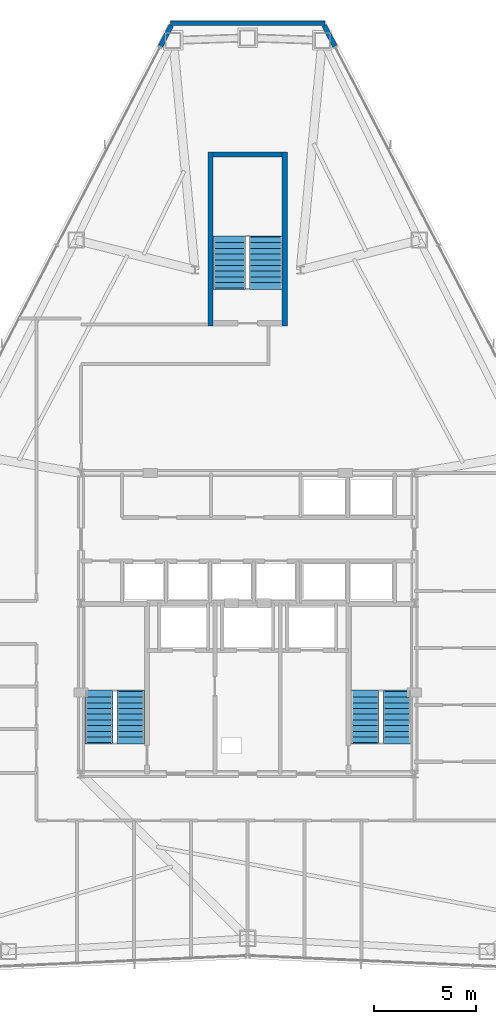
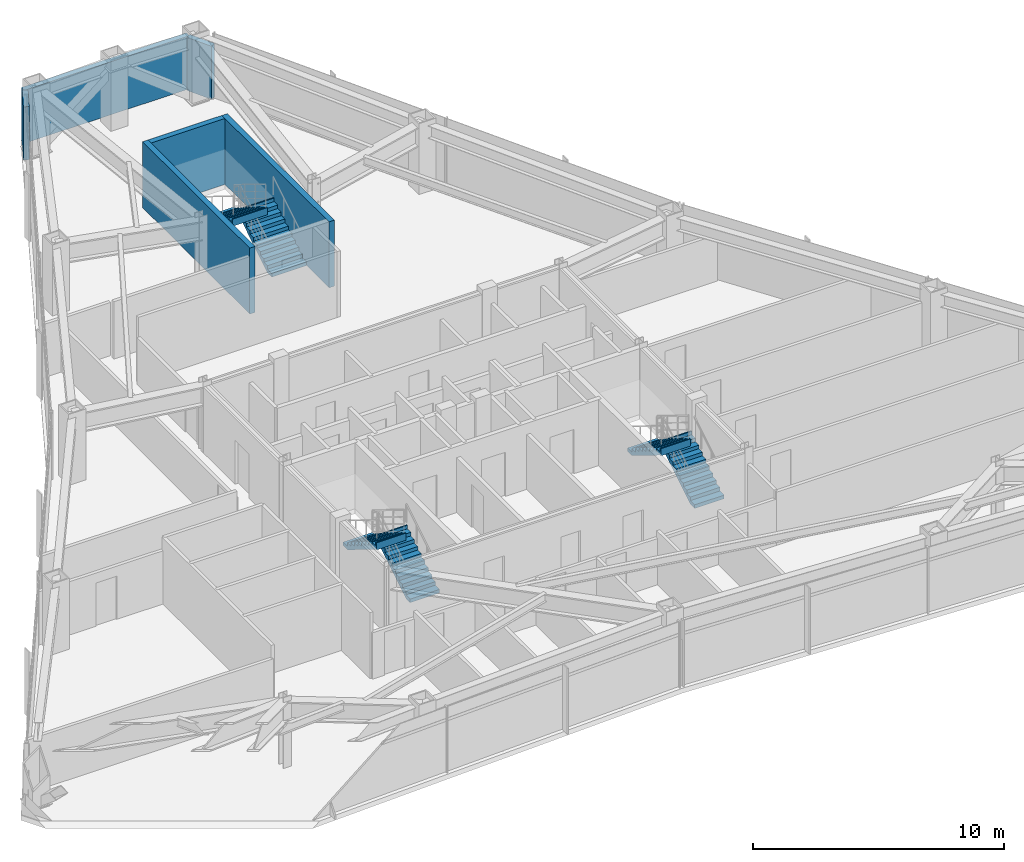
# One storey, part 12 of 13: 6 stair flights, 6 walls, 3 elements without a shape of their own.
"""IFC4 building model written with IfcOpenShell, lengths in metres."""

from ifc_helpers import new_model, si_unit, direction, frame, frame_2d, origin, place, context, subcontext, project, spatial, polyline, rectangle, outline, extrude, material, layer, layer_set, type_object, element, aggregate, save


model = new_model("IFC4")

# Units and contexts
model_context = context("Model", 3, precision=1e-05, world=origin(), true_north=direction((0.0, 1.0)))
body_context = subcontext(model_context, "Body", "Model", "MODEL_VIEW")
ifc_project = project(units=[si_unit("LENGTHUNIT", "METRE"), si_unit("AREAUNIT", "SQUARE_METRE"), si_unit("VOLUMEUNIT", "CUBIC_METRE"), si_unit("PLANEANGLEUNIT", "RADIAN"), si_unit("MASSUNIT", "GRAM", prefix="KILO")], contexts=[model_context])

# Site, building, storey
site_placement = place(None, origin())
site = spatial("IfcSite", under=ifc_project, at=site_placement, CompositionType="ELEMENT")
building_placement = place(site_placement, origin())
building = spatial("IfcBuilding", under=site, at=building_placement, Name="Varakhsha Concourse Tower", CompositionType="ELEMENT")
storey_placement = place(building_placement, frame((0.0, 0.0, 182.699951171875)))
storey = spatial("IfcBuildingStorey", under=building, at=storey_placement, Name="L52", CompositionType="ELEMENT", Elevation=182.699951171875)

# Walls
ifc_material = material(Name="Concrete fc 45 MPa", Category="concrete")
ifc_layer_1 = layer(ifc_material, 0.239990234375, Name="WL-EXT-CRN-240")
ifc_layer_set_1 = layer_set([ifc_layer_1], Name="Concrete fc 45 MPa")
wall_type_1 = type_object("IfcWallType", Name="WL-EXT-CRN-240", PredefinedType="SHEAR", material=ifc_layer_set_1)
wall_1_placement = place(storey_placement, frame((36.199951171875, 53.338134765625, 0.0), z_axis=(0.0, 0.0, 1.0), x_axis=(1.0, 0.0, 0.0)))
element("IfcWall", 1, at=wall_1_placement, inside=storey, type_object=wall_type_1, Name="L52 Chamfer Wind-Corner Insulated Wall F1", PredefinedType="SHEAR", context=body_context, shape_type="SweptSolid", body=[
    extrude(rectangle(XDim=7.60009765625, YDim=0.239990234375, at=frame_2d((3.800048828125, 0.0))), origin(), (0.0, 0.0, 1.0), 2.5830078125),
])
for number, where, z_axis, x_axis, name in (
    (2, (36.240478515625, 53.229248046875, 0.0), (0.0, 0.0, 1.0), (-0.461043287095, -0.887377646453, 0.0), "L52 Wind-Corner Shoulder Wall F2"),
    (3, (44.2978515625, 52.193115234375, 0.0), (0.0, 0.0, 1.0), (-0.461043287095, 0.887377646453, 0.0), "L52 Wind-Corner Shoulder Wall F9"),
):
    element("IfcWall", number, at=place(storey_placement, frame(where, z_axis=z_axis, x_axis=x_axis)), inside=storey, type_object=wall_type_1, Name=name, PredefinedType="SHEAR", context=body_context, shape_type="SweptSolid", body=[
        extrude(rectangle(XDim=1.167724609375, YDim=0.239990234375, at=frame_2d((0.583984375, 0.0))), origin(), (0.0, 0.0, 1.0), 2.5830078125),
    ])
ifc_layer_2 = layer(ifc_material, 0.25, Name="WL-STAIR-250")
ifc_layer_set_2 = layer_set([ifc_layer_2], Name="Concrete fc 45 MPa")
wall_type_2 = type_object("IfcWallType", Name="WL-STAIR-250", PredefinedType="SHEAR", material=ifc_layer_set_2)
for number, where, z_axis, x_axis, name in (
    (4, (38.175048828125, 38.449951171875, 0.0), (0.0, 0.0, 1.0), (0.0, 1.0, 0.0), "L52 Wall SWALL-ST5-W-L52"),
    (5, (41.824951171875, 38.449951171875, 0.0), (0.0, 0.0, 1.0), (0.0, 1.0, 0.0), "L52 Wall SWALL-ST5-E-L52"),
):
    element("IfcWall", number, at=place(storey_placement, frame(where, z_axis=z_axis, x_axis=x_axis)), inside=storey, type_object=wall_type_2, Name=name, PredefinedType="SHEAR", context=body_context, shape_type="SweptSolid", body=[
        extrude(rectangle(XDim=8.550048828125, YDim=0.25, at=frame_2d((4.27490234375, 0.0))), origin(), (0.0, 0.0, 1.0), 3.2099609375),
    ])
wall_2_placement = place(storey_placement, frame((38.300048828125, 46.875, 0.0), z_axis=(0.0, 0.0, 1.0), x_axis=(1.0, 0.0, 0.0)))
element("IfcWall", 6, at=wall_2_placement, inside=storey, type_object=wall_type_2, Name="L52 Wall SWALL-ST5-N-L52", PredefinedType="SHEAR", context=body_context, shape_type="SweptSolid", body=[
    extrude(rectangle(XDim=3.39990234375, YDim=0.25, at=frame_2d((1.699951171875, 0.0))), origin(), (0.0, 0.0, 1.0), 3.2099609375),
])

# Stair, stair flights
stair_type_1 = type_object("IfcStairType", Name="ST-DOGLEG-1360", PredefinedType="HALF_TURN_STAIR", material=ifc_material)
stair_1_placement = place(storey_placement, origin())
stair_1 = element("IfcStair", 7, at=stair_1_placement, inside=storey, type_object=stair_type_1, Name="L52 Protected Exit Stair ST1", PredefinedType="HALF_TURN_STAIR")
stair_flight_type_1 = type_object("IfcStairFlightType", Name="STF-1360-R1725", PredefinedType="STRAIGHT", material=ifc_material)
stair_flight_1_placement = place(storey_placement, frame((34.239990234375, 17.93994140625, 0.0), z_axis=(0.0, 0.0, 1.0), x_axis=(0.0, 1.0, 0.0)))
stair_flight_1 = element("IfcStairFlight", 8, at=stair_flight_1_placement, type_object=stair_flight_type_1, Name="ST1 flight 1", NumberOfRisers=10, NumberOfTreads=9, PredefinedType="STRAIGHT", RiserHeight=0.1725, TreadLength=0.28, context=body_context, shape_type="SweptSolid", body=[
    extrude(outline(polyline([(-0.06005859375, 0.0), (-0.06005859375, 0.172607421875), (0.0, 0.172607421875), (0.280029296875, 0.172607421875), (0.280029296875, 0.344970703125), (0.56005859375, 0.344970703125), (0.56005859375, 0.517578125), (0.840087890625, 0.517578125), (0.840087890625, 0.68994140625), (1.1201171875, 0.68994140625), (1.1201171875, 0.862548828125), (1.39990234375, 0.862548828125), (1.39990234375, 1.034912109375), (1.679931640625, 1.034912109375), (1.679931640625, 1.20751953125), (1.9599609375, 1.20751953125), (1.9599609375, 1.3798828125), (2.239990234375, 1.3798828125), (2.239990234375, 1.552490234375), (2.52001953125, 1.552490234375), (2.52001953125, 1.72509765625), (2.580078125, 1.72509765625), (2.580078125, 1.37646484375), (2.52001953125, 1.37646484375), (0.285888671875, 0.0), (-0.06005859375, 0.0)])), frame((0.0, 0.68017578125, 0.0), z_axis=(0.0, -1.0, 0.0), x_axis=(1.0, 0.0, 0.0)), (0.0, 0.0, 1.0), 1.360107421875),
])
stair_flight_2_placement = place(storey_placement, frame((32.679931640625, 20.4599609375, 1.72509765625), z_axis=(0.0, 0.0, 1.0), x_axis=(0.0, -1.0, 0.0)))
stair_flight_2 = element("IfcStairFlight", 9, at=stair_flight_2_placement, type_object=stair_flight_type_1, Name="ST1 flight 2", NumberOfRisers=10, NumberOfTreads=9, PredefinedType="STRAIGHT", RiserHeight=0.1725, TreadLength=0.28, context=body_context, shape_type="SweptSolid", body=[
    extrude(outline(polyline([(-0.06005859375, 0.0), (-0.06005859375, 0.172607421875), (0.0, 0.172607421875), (0.280029296875, 0.172607421875), (0.280029296875, 0.344970703125), (0.56005859375, 0.344970703125), (0.56005859375, 0.517578125), (0.840087890625, 0.517578125), (0.840087890625, 0.68994140625), (1.1201171875, 0.68994140625), (1.1201171875, 0.862548828125), (1.39990234375, 0.862548828125), (1.39990234375, 1.034912109375), (1.679931640625, 1.034912109375), (1.679931640625, 1.20751953125), (1.9599609375, 1.20751953125), (1.9599609375, 1.3798828125), (2.239990234375, 1.3798828125), (2.239990234375, 1.552490234375), (2.52001953125, 1.552490234375), (2.52001953125, 1.72509765625), (2.580078125, 1.72509765625), (2.580078125, 1.37646484375), (2.52001953125, 1.37646484375), (0.285888671875, 0.0), (-0.06005859375, 0.0)])), frame((0.0, 0.68017578125, 0.0), z_axis=(0.0, -1.0, 0.0), x_axis=(1.0, 0.0, 0.0)), (0.0, 0.0, 1.0), 1.360107421875),
])
aggregate(stair_1, [stair_flight_1, stair_flight_2])

stair_2_placement = place(storey_placement, origin())
stair_2 = element("IfcStair", 10, at=stair_2_placement, inside=storey, type_object=stair_type_1, Name="L52 Protected Exit Stair ST2", PredefinedType="HALF_TURN_STAIR")
stair_flight_3_placement = place(storey_placement, frame((47.340087890625, 17.93994140625, 0.0), z_axis=(0.0, 0.0, 1.0), x_axis=(0.0, 1.0, 0.0)))
stair_flight_3 = element("IfcStairFlight", 11, at=stair_flight_3_placement, type_object=stair_flight_type_1, Name="ST2 flight 1", NumberOfRisers=10, NumberOfTreads=9, PredefinedType="STRAIGHT", RiserHeight=0.1725, TreadLength=0.28, context=body_context, shape_type="SweptSolid", body=[
    extrude(outline(polyline([(-0.06005859375, 0.0), (-0.06005859375, 0.172607421875), (0.0, 0.172607421875), (0.280029296875, 0.172607421875), (0.280029296875, 0.344970703125), (0.56005859375, 0.344970703125), (0.56005859375, 0.517578125), (0.840087890625, 0.517578125), (0.840087890625, 0.68994140625), (1.1201171875, 0.68994140625), (1.1201171875, 0.862548828125), (1.39990234375, 0.862548828125), (1.39990234375, 1.034912109375), (1.679931640625, 1.034912109375), (1.679931640625, 1.20751953125), (1.9599609375, 1.20751953125), (1.9599609375, 1.3798828125), (2.239990234375, 1.3798828125), (2.239990234375, 1.552490234375), (2.52001953125, 1.552490234375), (2.52001953125, 1.72509765625), (2.580078125, 1.72509765625), (2.580078125, 1.37646484375), (2.52001953125, 1.37646484375), (0.285888671875, 0.0), (-0.06005859375, 0.0)])), frame((0.0, 0.68017578125, 0.0), z_axis=(0.0, -1.0, 0.0), x_axis=(1.0, 0.0, 0.0)), (0.0, 0.0, 1.0), 1.360107421875),
])
stair_flight_4_placement = place(storey_placement, frame((45.780029296875, 20.4599609375, 1.72509765625), z_axis=(0.0, 0.0, 1.0), x_axis=(0.0, -1.0, 0.0)))
stair_flight_4 = element("IfcStairFlight", 12, at=stair_flight_4_placement, type_object=stair_flight_type_1, Name="ST2 flight 2", NumberOfRisers=10, NumberOfTreads=9, PredefinedType="STRAIGHT", RiserHeight=0.1725, TreadLength=0.28, context=body_context, shape_type="SweptSolid", body=[
    extrude(outline(polyline([(-0.06005859375, 0.0), (-0.06005859375, 0.172607421875), (0.0, 0.172607421875), (0.280029296875, 0.172607421875), (0.280029296875, 0.344970703125), (0.56005859375, 0.344970703125), (0.56005859375, 0.517578125), (0.840087890625, 0.517578125), (0.840087890625, 0.68994140625), (1.1201171875, 0.68994140625), (1.1201171875, 0.862548828125), (1.39990234375, 0.862548828125), (1.39990234375, 1.034912109375), (1.679931640625, 1.034912109375), (1.679931640625, 1.20751953125), (1.9599609375, 1.20751953125), (1.9599609375, 1.3798828125), (2.239990234375, 1.3798828125), (2.239990234375, 1.552490234375), (2.52001953125, 1.552490234375), (2.52001953125, 1.72509765625), (2.580078125, 1.72509765625), (2.580078125, 1.37646484375), (2.52001953125, 1.37646484375), (0.285888671875, 0.0), (-0.06005859375, 0.0)])), frame((0.0, 0.68017578125, 0.0), z_axis=(0.0, -1.0, 0.0), x_axis=(1.0, 0.0, 0.0)), (0.0, 0.0, 1.0), 1.360107421875),
])
aggregate(stair_2, [stair_flight_3, stair_flight_4])

stair_type_2 = type_object("IfcStairType", Name="ST-DOGLEG-1600", PredefinedType="HALF_TURN_STAIR", material=ifc_material)
stair_3_placement = place(storey_placement, origin())
stair_3 = element("IfcStair", 13, at=stair_3_placement, inside=storey, type_object=stair_type_2, Name="L52 Protected Exit Stair ST5", PredefinedType="HALF_TURN_STAIR")
stair_flight_type_2 = type_object("IfcStairFlightType", Name="STF-1600-R1725", PredefinedType="STRAIGHT", material=ifc_material)
stair_flight_5_placement = place(storey_placement, frame((40.89990234375, 40.300048828125, 0.0), z_axis=(0.0, 0.0, 1.0), x_axis=(0.0, 1.0, 0.0)))
stair_flight_5 = element("IfcStairFlight", 14, at=stair_flight_5_placement, type_object=stair_flight_type_2, Name="ST5 flight 1", NumberOfRisers=10, NumberOfTreads=9, PredefinedType="STRAIGHT", RiserHeight=0.1725, TreadLength=0.28, context=body_context, shape_type="SweptSolid", body=[
    extrude(outline(polyline([(-0.06005859375, 0.0), (-0.06005859375, 0.172607421875), (0.0, 0.172607421875), (0.280029296875, 0.172607421875), (0.280029296875, 0.344970703125), (0.56005859375, 0.344970703125), (0.56005859375, 0.517578125), (0.840087890625, 0.517578125), (0.840087890625, 0.68994140625), (1.1201171875, 0.68994140625), (1.1201171875, 0.862548828125), (1.39990234375, 0.862548828125), (1.39990234375, 1.034912109375), (1.679931640625, 1.034912109375), (1.679931640625, 1.20751953125), (1.9599609375, 1.20751953125), (1.9599609375, 1.3798828125), (2.239990234375, 1.3798828125), (2.239990234375, 1.552490234375), (2.52001953125, 1.552490234375), (2.52001953125, 1.72509765625), (2.580078125, 1.72509765625), (2.580078125, 1.37646484375), (2.52001953125, 1.37646484375), (0.285888671875, 0.0), (-0.06005859375, 0.0)])), frame((0.0, 0.800048828125, 0.0), z_axis=(0.0, -1.0, 0.0), x_axis=(1.0, 0.0, 0.0)), (0.0, 0.0, 1.0), 1.60009765625),
])
stair_flight_6_placement = place(storey_placement, frame((39.10009765625, 42.820068359375, 1.72509765625), z_axis=(0.0, 0.0, 1.0), x_axis=(0.0, -1.0, 0.0)))
stair_flight_6 = element("IfcStairFlight", 15, at=stair_flight_6_placement, type_object=stair_flight_type_2, Name="ST5 flight 2", NumberOfRisers=10, NumberOfTreads=9, PredefinedType="STRAIGHT", RiserHeight=0.1725, TreadLength=0.28, context=body_context, shape_type="SweptSolid", body=[
    extrude(outline(polyline([(-0.06005859375, 0.0), (-0.06005859375, 0.172607421875), (0.0, 0.172607421875), (0.280029296875, 0.172607421875), (0.280029296875, 0.344970703125), (0.56005859375, 0.344970703125), (0.56005859375, 0.517578125), (0.840087890625, 0.517578125), (0.840087890625, 0.68994140625), (1.1201171875, 0.68994140625), (1.1201171875, 0.862548828125), (1.39990234375, 0.862548828125), (1.39990234375, 1.034912109375), (1.679931640625, 1.034912109375), (1.679931640625, 1.20751953125), (1.9599609375, 1.20751953125), (1.9599609375, 1.3798828125), (2.239990234375, 1.3798828125), (2.239990234375, 1.552490234375), (2.52001953125, 1.552490234375), (2.52001953125, 1.72509765625), (2.580078125, 1.72509765625), (2.580078125, 1.37646484375), (2.52001953125, 1.37646484375), (0.285888671875, 0.0), (-0.06005859375, 0.0)])), frame((0.0, 0.800048828125, 0.0), z_axis=(0.0, -1.0, 0.0), x_axis=(1.0, 0.0, 0.0)), (0.0, 0.0, 1.0), 1.60009765625),
])
aggregate(stair_3, [stair_flight_5, stair_flight_6])

save(model, "model.ifc")
